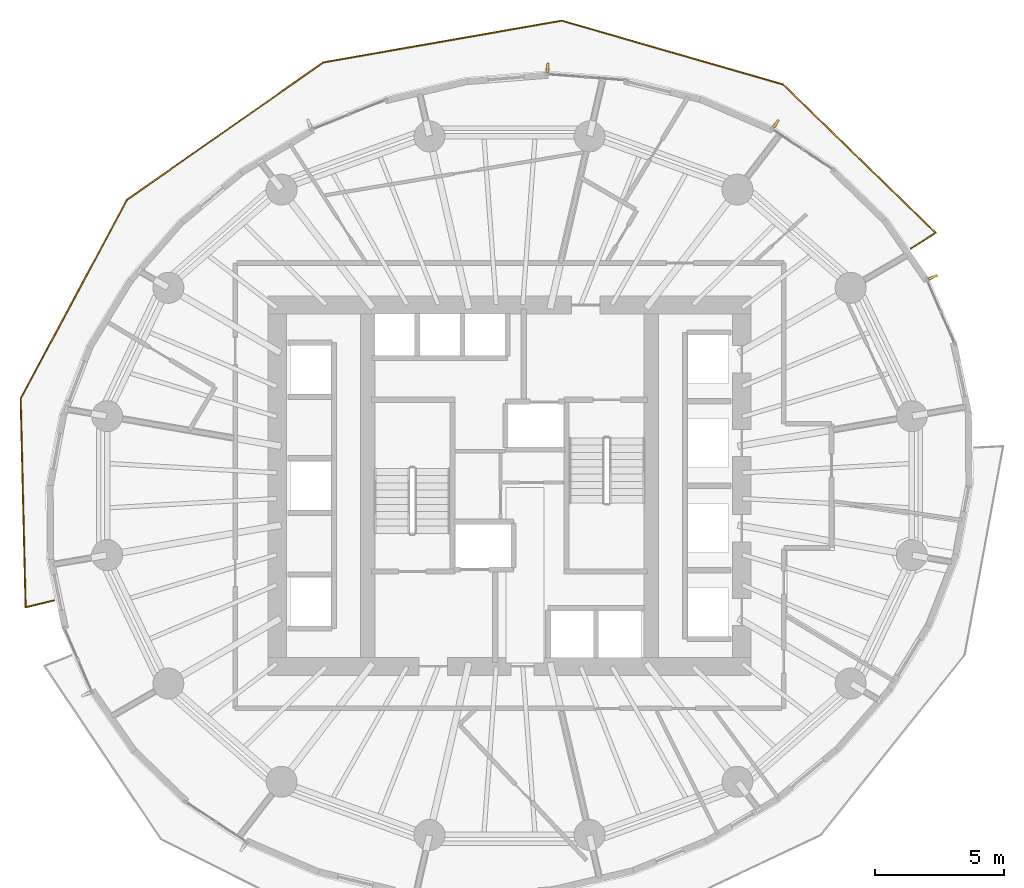
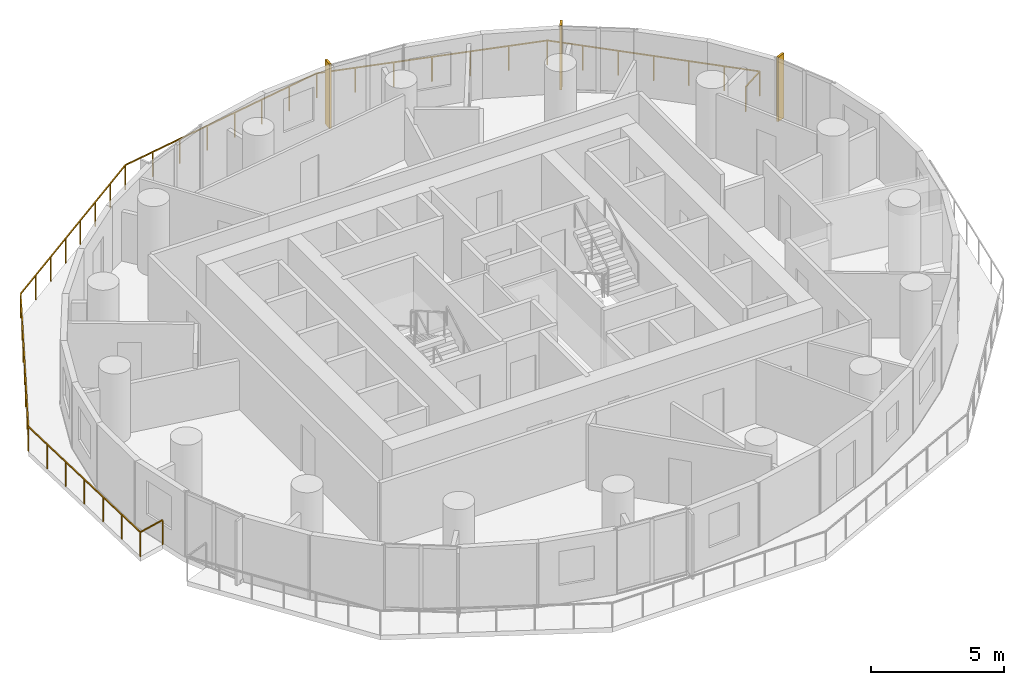
# One storey, part 14 of 14: 3 shading devices, 1 railing.
"""IFC4 building model written with IfcOpenShell, lengths in metres."""

from ifc_helpers import new_model, si_unit, direction, frame, origin, origin_2d, place, context, subcontext, project, spatial, rectangle, extrude, material, layer, layer_set, type_object, element, save


model = new_model("IFC4")

# Units and contexts
model_context = context("Model", 3, precision=1e-05, world=origin(), true_north=direction((0.0, 1.0)))
body_context = subcontext(model_context, "Body", "Model", "MODEL_VIEW")
ifc_project = project(units=[si_unit("LENGTHUNIT", "METRE"), si_unit("AREAUNIT", "SQUARE_METRE"), si_unit("VOLUMEUNIT", "CUBIC_METRE"), si_unit("PLANEANGLEUNIT", "RADIAN"), si_unit("MASSUNIT", "GRAM", prefix="KILO")], contexts=[model_context])

# Site, building, storey
site_placement = place(None, origin())
site = spatial("IfcSite", under=ifc_project, at=site_placement, CompositionType="ELEMENT")
building_placement = place(site_placement, origin())
building = spatial("IfcBuilding", under=site, at=building_placement, Name="Veldorim Arch Residences", CompositionType="ELEMENT")
storey_placement = place(building_placement, frame((0.0, 0.0, 80.47998046875)))
storey = spatial("IfcBuildingStorey", under=building, at=storey_placement, Name="L23", CompositionType="ELEMENT", Elevation=80.47998046875)

# Railing
ifc_material_1 = material(Name="Aluminium", Category="aluminium")
railing_type = type_object("IfcRailingType", Name="Balcony & Terrace Laminated Glass Balustrade 1150", PredefinedType="BALUSTRADE", material=ifc_material_1)
railing_placement = place(storey_placement, frame((47.544677734375, 33.18017578125, 0.0)))
element("IfcRailing", 1, at=railing_placement, inside=storey, type_object=railing_type, Name="L23 crescent balcony safety balustrade A", PredefinedType="BALUSTRADE", context=body_context, shape_type="SweptSolid", body=[
    extrude(rectangle(XDim=0.048095703125, YDim=0.048095703125, at=origin_2d()), frame((0.0, 0.0, 1.1259765625), z_axis=(0.843906173426, 0.536490792515, 0.0), x_axis=(-0.536490792515, 0.843906173426, 0.0)), (0.0, 0.0, 1.0), 1.14990234375),
    extrude(rectangle(XDim=0.048095703125, YDim=0.048095703125, at=origin_2d()), frame((0.970458984375, 0.616943359375, 1.1259765625), z_axis=(-0.716218195239, 0.697876419439, 0.0), x_axis=(-0.697876419439, -0.716218195239, 0.0)), (0.0, 0.0, 1.0), 8.2392578125),
    extrude(rectangle(XDim=0.048095703125, YDim=0.048095703125, at=origin_2d()), frame((-4.9306640625, 6.366943359375, 1.1259765625), z_axis=(-0.960856316669, 0.277047177781, 0.0), x_axis=(-0.277047177781, -0.960856316669, 0.0)), (0.0, 0.0, 1.0), 8.938232421875),
    extrude(rectangle(XDim=0.048095703125, YDim=0.048095703125, at=origin_2d()), frame((-13.51904296875, 8.84326171875, 1.1259765625), z_axis=(-0.985013676891, -0.172476248621, 0.0), x_axis=(0.172476248621, -0.985013676891, 0.0)), (0.0, 0.0, 1.0), 9.384765625),
    extrude(rectangle(XDim=0.048095703125, YDim=0.048095703125, at=origin_2d()), frame((-22.76318359375, 7.224609375, 1.1259765625), z_axis=(-0.819325707742, -0.57332833929, 0.0), x_axis=(0.57332833929, -0.819325707742, 0.0)), (0.0, 0.0, 1.0), 9.293212890625),
    extrude(rectangle(XDim=0.048095703125, YDim=0.048095703125, at=origin_2d()), frame((-30.37744140625, 1.896484375, 1.1259765625), z_axis=(-0.471027828297, -0.882118350886, 0.0), x_axis=(0.882118350886, -0.471027828297, 0.0)), (0.0, 0.0, 1.0), 8.733154296875),
    extrude(rectangle(XDim=0.048095703125, YDim=0.048095703125, at=origin_2d()), frame((-34.490966796875, -5.80712890625, 1.1259765625), z_axis=(0.023654874887, -0.999720184299, 0.0), x_axis=(0.999720184299, 0.023654874887, 0.0)), (0.0, 0.0, 1.0), 8.091552734375),
    extrude(rectangle(XDim=0.048095703125, YDim=0.048095703125, at=origin_2d()), frame((-34.299560546875, -13.896484375, 1.1259765625), z_axis=(0.971889862768, 0.235435967193, 0.0), x_axis=(-0.235435967193, 0.971889862768, 0.0)), (0.0, 0.0, 1.0), 1.14990234375),
    extrude(rectangle(XDim=0.0419921875, YDim=0.0419921875, at=origin_2d()), origin(), (0.0, 0.0, 1.0), 1.101806640625),
    extrude(rectangle(XDim=0.0419921875, YDim=0.0419921875, at=origin_2d()), frame((0.970458984375, 0.616943359375, 0.0)), (0.0, 0.0, 1.0), 1.101806640625),
    extrude(rectangle(XDim=0.0419921875, YDim=0.0419921875, at=origin_2d()), frame((-0.01318359375, 1.5751953125, 0.0)), (0.0, 0.0, 1.0), 1.101806640625),
    extrude(rectangle(XDim=0.0419921875, YDim=0.0419921875, at=origin_2d()), frame((-0.99658203125, 2.53369140625, 0.0)), (0.0, 0.0, 1.0), 1.101806640625),
    extrude(rectangle(XDim=0.0419921875, YDim=0.0419921875, at=origin_2d()), frame((-1.97998046875, 3.491943359375, 0.0)), (0.0, 0.0, 1.0), 1.101806640625),
    extrude(rectangle(XDim=0.0419921875, YDim=0.0419921875, at=origin_2d()), frame((-2.963623046875, 4.4501953125, 0.0)), (0.0, 0.0, 1.0), 1.101806640625),
    extrude(rectangle(XDim=0.0419921875, YDim=0.0419921875, at=origin_2d()), frame((-3.947265625, 5.40869140625, 0.0)), (0.0, 0.0, 1.0), 1.101806640625),
    extrude(rectangle(XDim=0.0419921875, YDim=0.0419921875, at=origin_2d()), frame((-4.9306640625, 6.366943359375, 0.0)), (0.0, 0.0, 1.0), 1.101806640625),
    extrude(rectangle(XDim=0.0419921875, YDim=0.0419921875, at=origin_2d()), frame((-6.362060546875, 6.77978515625, 0.0)), (0.0, 0.0, 1.0), 1.101806640625),
    extrude(rectangle(XDim=0.0419921875, YDim=0.0419921875, at=origin_2d()), frame((-7.79345703125, 7.1923828125, 0.0)), (0.0, 0.0, 1.0), 1.101806640625),
    extrude(rectangle(XDim=0.0419921875, YDim=0.0419921875, at=origin_2d()), frame((-9.224853515625, 7.60498046875, 0.0)), (0.0, 0.0, 1.0), 1.101806640625),
    extrude(rectangle(XDim=0.0419921875, YDim=0.0419921875, at=origin_2d()), frame((-10.65625, 8.017822265625, 0.0)), (0.0, 0.0, 1.0), 1.101806640625),
    extrude(rectangle(XDim=0.0419921875, YDim=0.0419921875, at=origin_2d()), frame((-12.087646484375, 8.4306640625, 0.0)), (0.0, 0.0, 1.0), 1.101806640625),
    extrude(rectangle(XDim=0.0419921875, YDim=0.0419921875, at=origin_2d()), frame((-13.51904296875, 8.84326171875, 0.0)), (0.0, 0.0, 1.0), 1.101806640625),
    extrude(rectangle(XDim=0.0419921875, YDim=0.0419921875, at=origin_2d()), frame((-14.839599609375, 8.612060546875, 0.0)), (0.0, 0.0, 1.0), 1.101806640625),
    extrude(rectangle(XDim=0.0419921875, YDim=0.0419921875, at=origin_2d()), frame((-16.16015625, 8.380859375, 0.0)), (0.0, 0.0, 1.0), 1.101806640625),
    extrude(rectangle(XDim=0.0419921875, YDim=0.0419921875, at=origin_2d()), frame((-17.480712890625, 8.149658203125, 0.0)), (0.0, 0.0, 1.0), 1.101806640625),
    extrude(rectangle(XDim=0.0419921875, YDim=0.0419921875, at=origin_2d()), frame((-18.801513671875, 7.918212890625, 0.0)), (0.0, 0.0, 1.0), 1.101806640625),
    extrude(rectangle(XDim=0.0419921875, YDim=0.0419921875, at=origin_2d()), frame((-20.1220703125, 7.68701171875, 0.0)), (0.0, 0.0, 1.0), 1.101806640625),
    extrude(rectangle(XDim=0.0419921875, YDim=0.0419921875, at=origin_2d()), frame((-21.442626953125, 7.455810546875, 0.0)), (0.0, 0.0, 1.0), 1.101806640625),
    extrude(rectangle(XDim=0.0419921875, YDim=0.0419921875, at=origin_2d()), frame((-22.76318359375, 7.224609375, 0.0)), (0.0, 0.0, 1.0), 1.101806640625),
    extrude(rectangle(XDim=0.0419921875, YDim=0.0419921875, at=origin_2d()), frame((-23.850830078125, 6.46337890625, 0.0)), (0.0, 0.0, 1.0), 1.101806640625),
    extrude(rectangle(XDim=0.0419921875, YDim=0.0419921875, at=origin_2d()), frame((-24.938720703125, 5.702392578125, 0.0)), (0.0, 0.0, 1.0), 1.101806640625),
    extrude(rectangle(XDim=0.0419921875, YDim=0.0419921875, at=origin_2d()), frame((-26.0263671875, 4.941162109375, 0.0)), (0.0, 0.0, 1.0), 1.101806640625),
    extrude(rectangle(XDim=0.0419921875, YDim=0.0419921875, at=origin_2d()), frame((-27.1142578125, 4.179931640625, 0.0)), (0.0, 0.0, 1.0), 1.101806640625),
    extrude(rectangle(XDim=0.0419921875, YDim=0.0419921875, at=origin_2d()), frame((-28.201904296875, 3.418701171875, 0.0)), (0.0, 0.0, 1.0), 1.101806640625),
    extrude(rectangle(XDim=0.0419921875, YDim=0.0419921875, at=origin_2d()), frame((-29.289794921875, 2.65771484375, 0.0)), (0.0, 0.0, 1.0), 1.101806640625),
    extrude(rectangle(XDim=0.0419921875, YDim=0.0419921875, at=origin_2d()), frame((-30.37744140625, 1.896484375, 0.0)), (0.0, 0.0, 1.0), 1.101806640625),
    extrude(rectangle(XDim=0.0419921875, YDim=0.0419921875, at=origin_2d()), frame((-31.06298828125, 0.612548828125, 0.0)), (0.0, 0.0, 1.0), 1.101806640625),
    extrude(rectangle(XDim=0.0419921875, YDim=0.0419921875, at=origin_2d()), frame((-31.74853515625, -0.67138671875, 0.0)), (0.0, 0.0, 1.0), 1.101806640625),
    extrude(rectangle(XDim=0.0419921875, YDim=0.0419921875, at=origin_2d()), frame((-32.43408203125, -1.955322265625, 0.0)), (0.0, 0.0, 1.0), 1.101806640625),
    extrude(rectangle(XDim=0.0419921875, YDim=0.0419921875, at=origin_2d()), frame((-33.119873046875, -3.2392578125, 0.0)), (0.0, 0.0, 1.0), 1.101806640625),
    extrude(rectangle(XDim=0.0419921875, YDim=0.0419921875, at=origin_2d()), frame((-33.805419921875, -4.523193359375, 0.0)), (0.0, 0.0, 1.0), 1.101806640625),
    extrude(rectangle(XDim=0.0419921875, YDim=0.0419921875, at=origin_2d()), frame((-34.490966796875, -5.80712890625, 0.0)), (0.0, 0.0, 1.0), 1.101806640625),
    extrude(rectangle(XDim=0.0419921875, YDim=0.0419921875, at=origin_2d()), frame((-34.458984375, -7.1552734375, 0.0)), (0.0, 0.0, 1.0), 1.101806640625),
    extrude(rectangle(XDim=0.0419921875, YDim=0.0419921875, at=origin_2d()), frame((-34.42724609375, -8.503662109375, 0.0)), (0.0, 0.0, 1.0), 1.101806640625),
    extrude(rectangle(XDim=0.0419921875, YDim=0.0419921875, at=origin_2d()), frame((-34.395263671875, -9.851806640625, 0.0)), (0.0, 0.0, 1.0), 1.101806640625),
    extrude(rectangle(XDim=0.0419921875, YDim=0.0419921875, at=origin_2d()), frame((-34.36328125, -11.199951171875, 0.0)), (0.0, 0.0, 1.0), 1.101806640625),
    extrude(rectangle(XDim=0.0419921875, YDim=0.0419921875, at=origin_2d()), frame((-34.33154296875, -12.54833984375, 0.0)), (0.0, 0.0, 1.0), 1.101806640625),
    extrude(rectangle(XDim=0.0419921875, YDim=0.0419921875, at=origin_2d()), frame((-34.299560546875, -13.896484375, 0.0)), (0.0, 0.0, 1.0), 1.101806640625),
    extrude(rectangle(XDim=0.0419921875, YDim=0.0419921875, at=origin_2d()), frame((-33.181884765625, -13.625732421875, 0.0)), (0.0, 0.0, 1.0), 1.101806640625),
])

# Shading devices
ifc_material_2 = material(Name="Terracotta Ceramic", Category="masonry")
ifc_layer = layer(ifc_material_2, 0.090087890625, Name="Vertical Extruded Terracotta Baguette Sun-Shading Fin")
ifc_layer_set = layer_set([ifc_layer], Name="Terracotta Ceramic")
shading_device_type = type_object("IfcShadingDeviceType", Name="Vertical Extruded Terracotta Baguette Sun-Shading Fin", PredefinedType="USERDEFINED", material=ifc_layer_set)
for number, where, z_axis, x_axis, name in (
    (2, (48.416015625, 32.082763671875, 0.0), (0.0, 0.0, 1.0), (0.396987706187, -0.917823927089, 0.0), "L23 vertical terracotta sun-shading fin 01"),
    (3, (42.328369140625, 38.025146484375, 0.0), (0.0, 0.0, 1.0), (0.834174701276, -0.551500288078, 0.0), "L23 vertical terracotta sun-shading fin 04"),
    (4, (33.478271484375, 40.19970703125, 0.0), (0.0, 0.0, 1.0), (0.997052752227, -0.076719028127, 0.0), "L23 vertical terracotta sun-shading fin 07"),
):
    element("IfcShadingDevice", number, at=place(storey_placement, frame(where, z_axis=z_axis, x_axis=x_axis)), inside=storey, type_object=shading_device_type, Name=name, ObjectType="FIN", PredefinedType="USERDEFINED", context=body_context, shape_type="SweptSolid", body=[
        extrude(rectangle(XDim=0.090087890625, YDim=0.360107421875, at=origin_2d()), origin(), (0.0, 0.0, 1.0), 2.9599609375),
    ])

save(model, "model.ifc")
